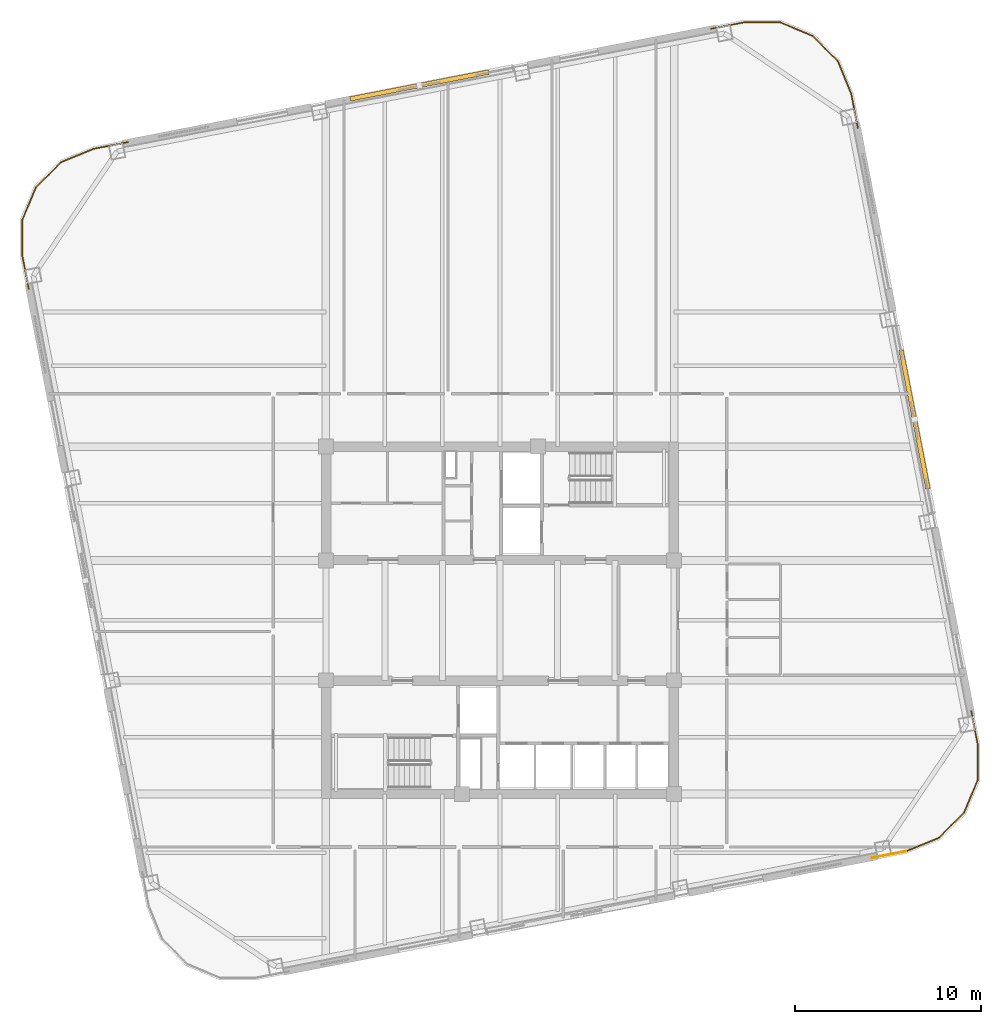
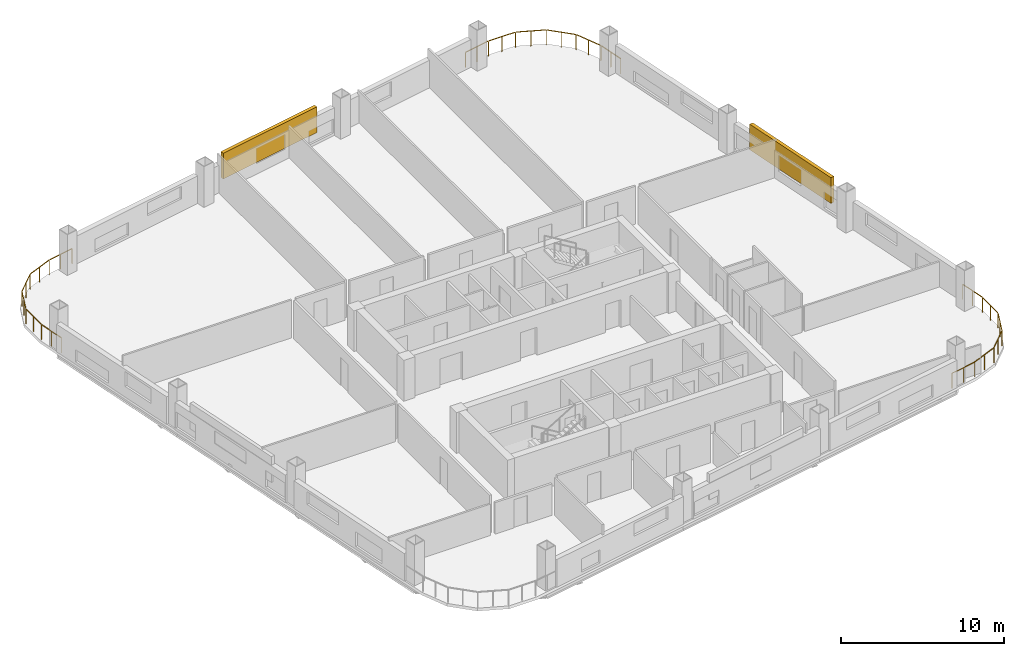
# One storey, part 9 of 9: 4 railings, 2 shading devices.
"""IFC4 building model written with IfcOpenShell, lengths in metres."""

from ifc_helpers import new_model, si_unit, direction, frame, origin, origin_2d, place, context, subcontext, project, spatial, rectangle, extrude, material, type_object, element, save


model = new_model("IFC4")

# Units and contexts
model_context = context("Model", 3, precision=1e-05, world=origin(), true_north=direction((0.0, 1.0)))
body_context = subcontext(model_context, "Body", "Model", "MODEL_VIEW")
ifc_project = project(units=[si_unit("LENGTHUNIT", "METRE"), si_unit("AREAUNIT", "SQUARE_METRE"), si_unit("VOLUMEUNIT", "CUBIC_METRE"), si_unit("PLANEANGLEUNIT", "RADIAN"), si_unit("MASSUNIT", "GRAM", prefix="KILO")], contexts=[model_context])

# Site, building, storey
site_placement = place(None, origin())
site = spatial("IfcSite", under=ifc_project, at=site_placement, CompositionType="ELEMENT")
building_placement = place(site_placement, origin())
building = spatial("IfcBuilding", under=site, at=building_placement, Name="Qhalaya Broadcast Tower", CompositionType="ELEMENT")
storey_placement = place(building_placement, frame((0.0, 0.0, 121.949951171875)))
storey = spatial("IfcBuildingStorey", under=building, at=storey_placement, Name="L35", CompositionType="ELEMENT", Elevation=121.949951171875)

# Railings
ifc_material_1 = material(Name="Powder-Coated Galvanised Steel", Category="steel")
railing_type = type_object("IfcRailingType", Name="Terrace, Sky-Pool & Lookout Glass Balustrade 1150", PredefinedType="BALUSTRADE", material=ifc_material_1)
railing_1_placement = place(storey_placement, frame((21.847412109375, -11.82861328125, 0.0)))
element("IfcRailing", 1, at=railing_1_placement, inside=storey, type_object=railing_type, Name="L35 Rounded Corner Perimeter Guard 01", PredefinedType="BALUSTRADE", context=body_context, shape_type="SweptSolid", body=[
    extrude(rectangle(XDim=0.048095703125, YDim=0.048095703125, at=origin_2d()), frame((0.0, 0.0, 1.1259765625), z_axis=(-0.981618812261, -0.190852056357, 0.0), x_axis=(0.190852056357, -0.981618812261, 0.0)), (0.0, 0.0, 1.0), 1.856201171875),
    extrude(rectangle(XDim=0.0419921875, YDim=0.0419921875, at=origin_2d()), origin(), (0.0, 0.0, 1.0), 1.099853515625),
    extrude(rectangle(XDim=0.0419921875, YDim=0.0419921875, at=origin_2d()), frame((-0.9111328125, -0.17724609375, 0.0)), (0.0, 0.0, 1.0), 1.099853515625),
    extrude(rectangle(XDim=0.0419921875, YDim=0.0419921875, at=origin_2d()), frame((-1.822021484375, -0.354248046875, 0.0)), (0.0, 0.0, 1.0), 1.099853515625),
])
railing_2_placement = place(storey_placement, frame((-25.36181640625, 18.43115234375, 0.0)))
element("IfcRailing", 2, at=railing_2_placement, inside=storey, type_object=railing_type, Name="L35 Rounded Corner Perimeter Guard 03", PredefinedType="BALUSTRADE", context=body_context, shape_type="SweptSolid", body=[
    extrude(rectangle(XDim=0.048095703125, YDim=0.048095703125, at=origin_2d()), frame((0.0, 0.0, 1.1259765625), z_axis=(-0.190827417864, 0.981623602299, 0.0), x_axis=(-0.981623602299, -0.190827417864, 0.0)), (0.0, 0.0, 1.0), 1.82763671875),
    extrude(rectangle(XDim=0.048095703125, YDim=0.048095703125, at=origin_2d()), frame((-0.35400390625, 1.85107421875, 1.1259765625), z_axis=(0.004334482484, 0.999990606087, 0.0), x_axis=(-0.999990606087, 0.004334482484, 0.0)), (0.0, 0.0, 1.0), 1.857421875),
    extrude(rectangle(XDim=0.048095703125, YDim=0.048095703125, at=origin_2d()), frame((-0.334716796875, 3.763916015625, 1.1259765625), z_axis=(0.386754828875, 0.922182575384, 0.0), x_axis=(-0.922182575384, 0.386754828875, 0.0)), (0.0, 0.0, 1.0), 1.845458984375),
    extrude(rectangle(XDim=0.048095703125, YDim=0.048095703125, at=origin_2d()), frame((0.41064453125, 5.5126953125, 1.1259765625), z_axis=(0.710178888649, 0.704021268228, 0.0), x_axis=(-0.704021268228, 0.710178888649, 0.0)), (0.0, 0.0, 1.0), 1.845458984375),
    extrude(rectangle(XDim=0.048095703125, YDim=0.048095703125, at=origin_2d()), frame((1.768310546875, 6.84326171875, 1.1259765625), z_axis=(0.92552055863, 0.378697366711, 0.0), x_axis=(-0.378697366711, 0.92552055863, 0.0)), (0.0, 0.0, 1.0), 1.857666015625),
    extrude(rectangle(XDim=0.048095703125, YDim=0.048095703125, at=origin_2d()), frame((3.542724609375, 7.563232421875, 1.1259765625), z_axis=(0.981643446311, 0.190725311155, 0.0), x_axis=(-0.190725311155, 0.981643446311, 0.0)), (0.0, 0.0, 1.0), 1.8271484375),
    extrude(rectangle(XDim=0.0419921875, YDim=0.0419921875, at=origin_2d()), origin(), (0.0, 0.0, 1.0), 1.099853515625),
    extrude(rectangle(XDim=0.0419921875, YDim=0.0419921875, at=origin_2d()), frame((-0.17724609375, 0.9111328125, 0.0)), (0.0, 0.0, 1.0), 1.099853515625),
    extrude(rectangle(XDim=0.0419921875, YDim=0.0419921875, at=origin_2d()), frame((-0.354248046875, 1.822265625, 0.0)), (0.0, 0.0, 1.0), 1.099853515625),
    extrude(rectangle(XDim=0.0419921875, YDim=0.0419921875, at=origin_2d()), frame((-0.35009765625, 2.77978515625, 0.0)), (0.0, 0.0, 1.0), 1.099853515625),
    extrude(rectangle(XDim=0.0419921875, YDim=0.0419921875, at=origin_2d()), frame((-0.345947265625, 3.7373046875, 0.0)), (0.0, 0.0, 1.0), 1.099853515625),
    extrude(rectangle(XDim=0.0419921875, YDim=0.0419921875, at=origin_2d()), frame((0.02197265625, 4.61474609375, 0.0)), (0.0, 0.0, 1.0), 1.099853515625),
    extrude(rectangle(XDim=0.0419921875, YDim=0.0419921875, at=origin_2d()), frame((0.39013671875, 5.492431640625, 0.0)), (0.0, 0.0, 1.0), 1.099853515625),
    extrude(rectangle(XDim=0.0419921875, YDim=0.0419921875, at=origin_2d()), frame((1.06591796875, 6.162353515625, 0.0)), (0.0, 0.0, 1.0), 1.099853515625),
    extrude(rectangle(XDim=0.0419921875, YDim=0.0419921875, at=origin_2d()), frame((1.74169921875, 6.832275390625, 0.0)), (0.0, 0.0, 1.0), 1.099853515625),
    extrude(rectangle(XDim=0.0419921875, YDim=0.0419921875, at=origin_2d()), frame((2.6279296875, 7.19482421875, 0.0)), (0.0, 0.0, 1.0), 1.099853515625),
    extrude(rectangle(XDim=0.0419921875, YDim=0.0419921875, at=origin_2d()), frame((3.514404296875, 7.5576171875, 0.0)), (0.0, 0.0, 1.0), 1.099853515625),
    extrude(rectangle(XDim=0.0419921875, YDim=0.0419921875, at=origin_2d()), frame((4.42529296875, 7.734619140625, 0.0)), (0.0, 0.0, 1.0), 1.099853515625),
    extrude(rectangle(XDim=0.0419921875, YDim=0.0419921875, at=origin_2d()), frame((5.33642578125, 7.91162109375, 0.0)), (0.0, 0.0, 1.0), 1.099853515625),
])
railing_3_placement = place(storey_placement, frame((11.351318359375, 32.44189453125, 0.0)))
element("IfcRailing", 3, at=railing_3_placement, inside=storey, type_object=railing_type, Name="L35 Rounded Corner Perimeter Guard 04", PredefinedType="BALUSTRADE", context=body_context, shape_type="SweptSolid", body=[
    extrude(rectangle(XDim=0.048095703125, YDim=0.048095703125, at=origin_2d()), frame((0.0, 0.0, 1.1259765625), z_axis=(0.981643446311, 0.190725311155, 0.0), x_axis=(-0.190725311155, 0.981643446311, 0.0)), (0.0, 0.0, 1.0), 1.8271484375),
    extrude(rectangle(XDim=0.048095703125, YDim=0.048095703125, at=origin_2d()), frame((1.850830078125, 0.353759765625, 1.1259765625), z_axis=(0.999990606087, -0.004334482484, 0.0), x_axis=(0.004334482484, 0.999990606087, 0.0)), (0.0, 0.0, 1.0), 1.857421875),
    extrude(rectangle(XDim=0.048095703125, YDim=0.048095703125, at=origin_2d()), frame((3.763671875, 0.33447265625, 1.1259765625), z_axis=(0.922247496545, -0.386599993684, 0.0), x_axis=(0.386599993684, 0.922247496545, 0.0)), (0.0, 0.0, 1.0), 1.845703125),
    extrude(rectangle(XDim=0.048095703125, YDim=0.048095703125, at=origin_2d()), frame((5.5126953125, -0.41064453125, 1.1259765625), z_axis=(0.704021268228, -0.710178888649, 0.0), x_axis=(0.710178888649, 0.704021268228, 0.0)), (0.0, 0.0, 1.0), 1.845458984375),
    extrude(rectangle(XDim=0.048095703125, YDim=0.048095703125, at=origin_2d()), frame((6.84326171875, -1.768310546875, 1.1259765625), z_axis=(0.378588174109, -0.925565229698, 0.0), x_axis=(0.925565229698, 0.378588174109, 0.0)), (0.0, 0.0, 1.0), 1.857666015625),
    extrude(rectangle(XDim=0.048095703125, YDim=0.048095703125, at=origin_2d()), frame((7.56298828125, -3.542724609375, 1.1259765625), z_axis=(0.190725311155, -0.981643446311, 0.0), x_axis=(0.981643446311, 0.190725311155, 0.0)), (0.0, 0.0, 1.0), 1.8271484375),
    extrude(rectangle(XDim=0.0419921875, YDim=0.0419921875, at=origin_2d()), origin(), (0.0, 0.0, 1.0), 1.099853515625),
    extrude(rectangle(XDim=0.0419921875, YDim=0.0419921875, at=origin_2d()), frame((0.9111328125, 0.177001953125, 0.0)), (0.0, 0.0, 1.0), 1.099853515625),
    extrude(rectangle(XDim=0.0419921875, YDim=0.0419921875, at=origin_2d()), frame((1.822021484375, 0.35400390625, 0.0)), (0.0, 0.0, 1.0), 1.099853515625),
    extrude(rectangle(XDim=0.0419921875, YDim=0.0419921875, at=origin_2d()), frame((2.779541015625, 0.349853515625, 0.0)), (0.0, 0.0, 1.0), 1.099853515625),
    extrude(rectangle(XDim=0.0419921875, YDim=0.0419921875, at=origin_2d()), frame((3.737060546875, 0.345703125, 0.0)), (0.0, 0.0, 1.0), 1.099853515625),
    extrude(rectangle(XDim=0.0419921875, YDim=0.0419921875, at=origin_2d()), frame((4.61474609375, -0.022216796875, 0.0)), (0.0, 0.0, 1.0), 1.099853515625),
    extrude(rectangle(XDim=0.0419921875, YDim=0.0419921875, at=origin_2d()), frame((5.492431640625, -0.39013671875, 0.0)), (0.0, 0.0, 1.0), 1.099853515625),
    extrude(rectangle(XDim=0.0419921875, YDim=0.0419921875, at=origin_2d()), frame((6.162353515625, -1.06591796875, 0.0)), (0.0, 0.0, 1.0), 1.099853515625),
    extrude(rectangle(XDim=0.0419921875, YDim=0.0419921875, at=origin_2d()), frame((6.832275390625, -1.74169921875, 0.0)), (0.0, 0.0, 1.0), 1.099853515625),
    extrude(rectangle(XDim=0.0419921875, YDim=0.0419921875, at=origin_2d()), frame((7.19482421875, -2.6279296875, 0.0)), (0.0, 0.0, 1.0), 1.099853515625),
    extrude(rectangle(XDim=0.0419921875, YDim=0.0419921875, at=origin_2d()), frame((7.557373046875, -3.514404296875, 0.0)), (0.0, 0.0, 1.0), 1.099853515625),
    extrude(rectangle(XDim=0.0419921875, YDim=0.0419921875, at=origin_2d()), frame((7.734375, -4.42529296875, 0.0)), (0.0, 0.0, 1.0), 1.099853515625),
    extrude(rectangle(XDim=0.0419921875, YDim=0.0419921875, at=origin_2d()), frame((7.911376953125, -5.33642578125, 0.0)), (0.0, 0.0, 1.0), 1.099853515625),
])
railing_4_placement = place(storey_placement, frame((25.36181640625, -4.271240234375, 0.0)))
element("IfcRailing", 4, at=railing_4_placement, inside=storey, type_object=railing_type, Name="L35 Rounded Corner Perimeter Guard 05", PredefinedType="BALUSTRADE", context=body_context, shape_type="SweptSolid", body=[
    extrude(rectangle(XDim=0.048095703125, YDim=0.048095703125, at=origin_2d()), frame((0.0, 0.0, 1.1259765625), z_axis=(0.190827417864, -0.981623602299, 0.0), x_axis=(0.981623602299, 0.190827417864, 0.0)), (0.0, 0.0, 1.0), 1.82763671875),
    extrude(rectangle(XDim=0.048095703125, YDim=0.048095703125, at=origin_2d()), frame((0.35400390625, -1.85107421875, 1.1259765625), z_axis=(-0.004334482484, -0.999990606087, 0.0), x_axis=(0.999990606087, -0.004334482484, 0.0)), (0.0, 0.0, 1.0), 1.857421875),
    extrude(rectangle(XDim=0.048095703125, YDim=0.048095703125, at=origin_2d()), frame((0.334716796875, -3.763916015625, 1.1259765625), z_axis=(-0.386754828875, -0.922182575384, 0.0), x_axis=(0.922182575384, -0.386754828875, 0.0)), (0.0, 0.0, 1.0), 1.845458984375),
    extrude(rectangle(XDim=0.048095703125, YDim=0.048095703125, at=origin_2d()), frame((-0.41064453125, -5.5126953125, 1.1259765625), z_axis=(-0.710178888649, -0.704021268228, 0.0), x_axis=(0.704021268228, -0.710178888649, 0.0)), (0.0, 0.0, 1.0), 1.845458984375),
    extrude(rectangle(XDim=0.048095703125, YDim=0.048095703125, at=origin_2d()), frame((-1.768310546875, -6.84326171875, 1.1259765625), z_axis=(-0.925565229698, -0.378588174109, 0.0), x_axis=(0.378588174109, -0.925565229698, 0.0)), (0.0, 0.0, 1.0), 1.886474609375),
    extrude(rectangle(XDim=0.0419921875, YDim=0.0419921875, at=origin_2d()), origin(), (0.0, 0.0, 1.0), 1.099853515625),
    extrude(rectangle(XDim=0.0419921875, YDim=0.0419921875, at=origin_2d()), frame((0.17724609375, -0.9111328125, 0.0)), (0.0, 0.0, 1.0), 1.099853515625),
    extrude(rectangle(XDim=0.0419921875, YDim=0.0419921875, at=origin_2d()), frame((0.354248046875, -1.822265625, 0.0)), (0.0, 0.0, 1.0), 1.099853515625),
    extrude(rectangle(XDim=0.0419921875, YDim=0.0419921875, at=origin_2d()), frame((0.35009765625, -2.77978515625, 0.0)), (0.0, 0.0, 1.0), 1.099853515625),
    extrude(rectangle(XDim=0.0419921875, YDim=0.0419921875, at=origin_2d()), frame((0.345947265625, -3.7373046875, 0.0)), (0.0, 0.0, 1.0), 1.099853515625),
    extrude(rectangle(XDim=0.0419921875, YDim=0.0419921875, at=origin_2d()), frame((-0.02197265625, -4.61474609375, 0.0)), (0.0, 0.0, 1.0), 1.099853515625),
    extrude(rectangle(XDim=0.0419921875, YDim=0.0419921875, at=origin_2d()), frame((-0.39013671875, -5.492431640625, 0.0)), (0.0, 0.0, 1.0), 1.099853515625),
    extrude(rectangle(XDim=0.0419921875, YDim=0.0419921875, at=origin_2d()), frame((-1.06591796875, -6.162353515625, 0.0)), (0.0, 0.0, 1.0), 1.099853515625),
    extrude(rectangle(XDim=0.0419921875, YDim=0.0419921875, at=origin_2d()), frame((-1.74169921875, -6.832275390625, 0.0)), (0.0, 0.0, 1.0), 1.099853515625),
    extrude(rectangle(XDim=0.0419921875, YDim=0.0419921875, at=origin_2d()), frame((-2.6279296875, -7.19482421875, 0.0)), (0.0, 0.0, 1.0), 1.099853515625),
    extrude(rectangle(XDim=0.0419921875, YDim=0.0419921875, at=origin_2d()), frame((-3.514404296875, -7.557373046875, 0.0)), (0.0, 0.0, 1.0), 1.099853515625),
])

# Shading devices
ifc_material_2 = material(Name="Fired Architectural Terracotta", Category="masonry")
shading_device_type = type_object("IfcShadingDeviceType", Name="Terracotta Baguette Solar Screen Assembly TBS-01", PredefinedType="USERDEFINED", material=ifc_material_2)
for number, where, z_axis, x_axis, name in (
    (5, (22.3125, 11.4169921875, 0.79248046875), (0.0, 0.0, 1.0), (-0.190808995377, 0.981627183448, 0.0), "L35 Fired Terracotta Baguette Screen E"),
    (6, (-4.337158203125, 29.392333984375, 0.79248046875), (0.0, 0.0, 1.0), (-0.981627183448, -0.190808995377, 0.0), "L35 Fired Terracotta Baguette Screen N"),
):
    element("IfcShadingDevice", number, at=place(storey_placement, frame(where, z_axis=z_axis, x_axis=x_axis)), inside=storey, type_object=shading_device_type, Name=name, ObjectType="BAGUETTE", PredefinedType="USERDEFINED", context=body_context, shape_type="SweptSolid", body=[
        extrude(rectangle(XDim=7.60009765625, YDim=0.239990234375, at=origin_2d()), origin(), (0.0, 0.0, 1.0), 1.924072265625),
    ])

save(model, "model.ifc")
